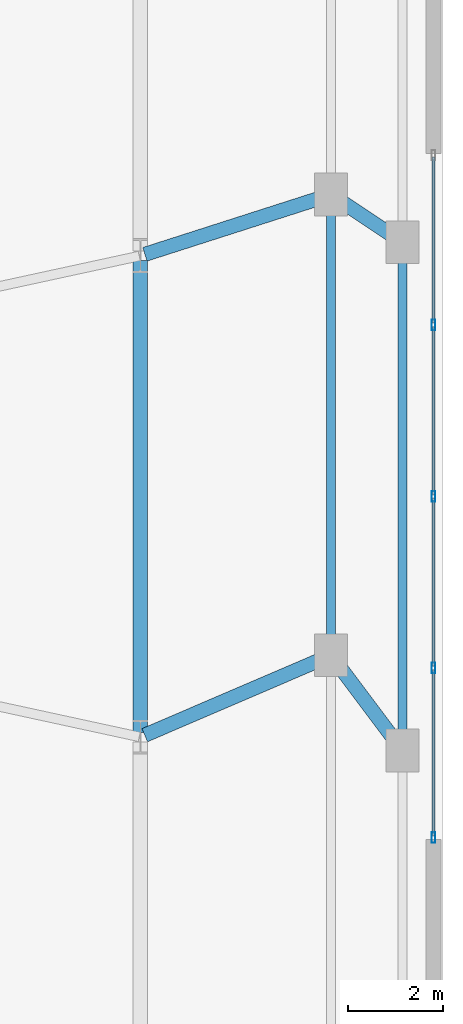
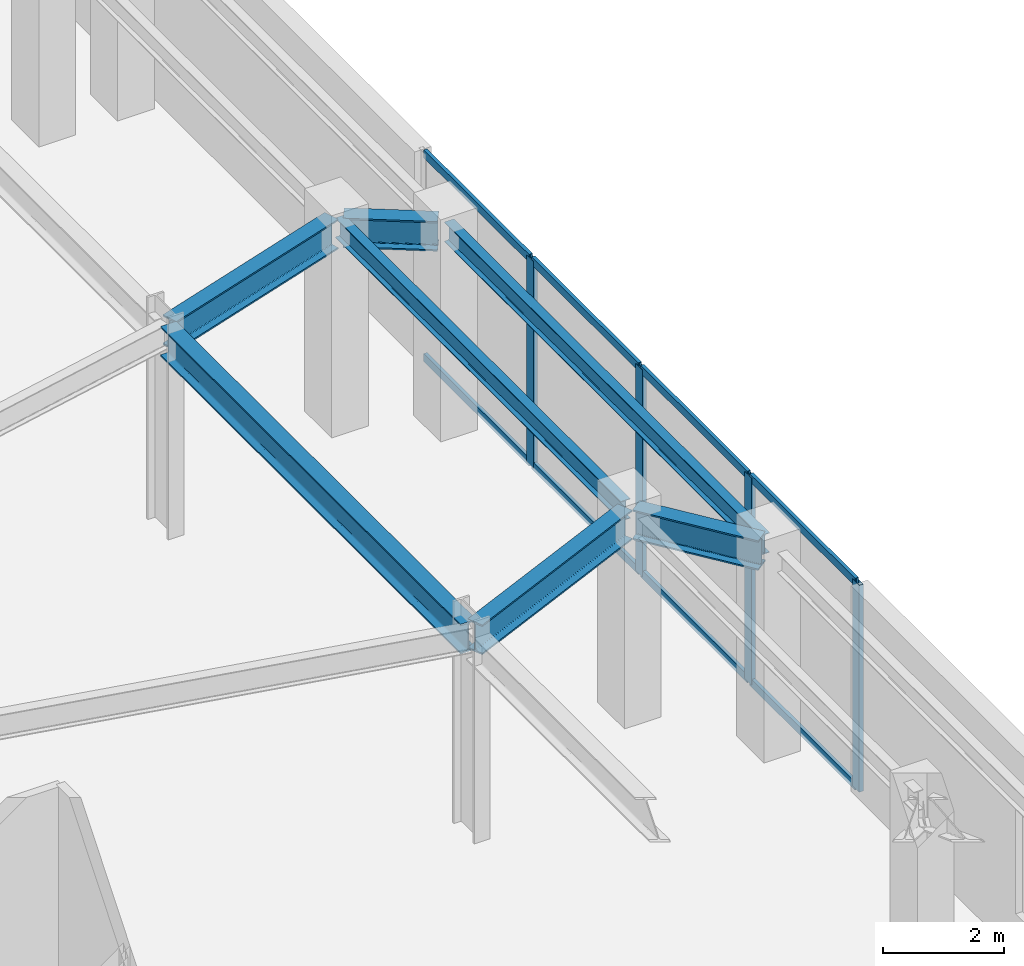
# One storey, part 11 of 23: 12 members, 7 beams, 1 element without a shape of its own.
"""IFC4 building model written with IfcOpenShell, lengths in metres."""

from ifc_helpers import new_model, si_unit, direction, frame, origin, origin_2d, place, context, subcontext, project, spatial, hollow_rectangle, i_section, extrude, material, layer, layer_set, material_profile, profile_set, type_object, element, aggregate, save


model = new_model("IFC4")

# Units and contexts
model_context = context("Model", 3, precision=1e-05, world=origin(), true_north=direction((0.0, 1.0)))
body_context = subcontext(model_context, "Body", "Model", "MODEL_VIEW")
ifc_project = project(units=[si_unit("LENGTHUNIT", "METRE"), si_unit("AREAUNIT", "SQUARE_METRE"), si_unit("VOLUMEUNIT", "CUBIC_METRE"), si_unit("PLANEANGLEUNIT", "RADIAN"), si_unit("MASSUNIT", "GRAM", prefix="KILO")], contexts=[model_context])

# Site, building, storey
site_placement = place(None, origin())
site = spatial("IfcSite", under=ifc_project, at=site_placement, CompositionType="ELEMENT")
building_placement = place(site_placement, origin())
building = spatial("IfcBuilding", under=site, at=building_placement, Name="Qobustan Lattice House", CompositionType="ELEMENT")
storey_placement = place(building_placement, frame((0.0, 0.0, 9.0)))
storey = spatial("IfcBuildingStorey", under=building, at=storey_placement, Name="L02", CompositionType="ELEMENT", Elevation=9.0)

# Beams
ifc_material_1 = material(Name="Steel S355", Category="steel")
ifc_material_profile_1 = material_profile(ifc_material_1, i_section(OverallWidth=0.300048828125, OverallDepth=0.60009765625, WebThickness=0.015380859375, FlangeThickness=0.030029296875, FilletRadius=0.027099609375, at=origin_2d()), Name="HEB600")
ifc_profile_set_1 = profile_set([ifc_material_profile_1], Name="Steel S355")
beam_type_1 = type_object("IfcBeamType", Name="BM-POD-HEB600", PredefinedType="USERDEFINED", material=ifc_profile_set_1)
beam_1_placement = place(storey_placement, frame((37.577880859375, -5.2373046875, 3.8701171875), z_axis=(-0.599965431752, 0.800025925019, 0.0), x_axis=(-0.800025925019, -0.599965431752, 0.0)))
element("IfcBeam", 1, at=beam_1_placement, inside=storey, type_object=beam_type_1, Name="L02 setback tie girder PEL2", ObjectType="GIRDER", PredefinedType="USERDEFINED", context=body_context, shape_type="SweptSolid", body=[
    extrude(i_section(OverallWidth=0.300048828125, OverallDepth=0.60009765625, WebThickness=0.015380859375, FlangeThickness=0.030029296875, FilletRadius=0.027099609375, at=origin_2d()), origin(), (0.0, 0.0, 1.0), 2.260009765625),
])
beam_2_placement = place(storey_placement, frame((37.55029296875, 5.39990234375, 3.8701171875), z_axis=(-0.832074324237, 0.554664149684, 0.0), x_axis=(-0.554664149684, -0.832074324237, 0.0)))
element("IfcBeam", 2, at=beam_2_placement, inside=storey, type_object=beam_type_1, Name="L02 setback tie girder PEL3", ObjectType="GIRDER", PredefinedType="USERDEFINED", context=body_context, shape_type="SweptSolid", body=[
    extrude(i_section(OverallWidth=0.300048828125, OverallDepth=0.60009765625, WebThickness=0.015380859375, FlangeThickness=0.030029296875, FilletRadius=0.027099609375, at=origin_2d()), origin(), (0.0, 0.0, 1.0), 1.56298828125),
])
beam_3_placement = place(storey_placement, frame((32.14990234375, -4.949951171875, 3.8701171875), z_axis=(0.0, 1.0, 0.0), x_axis=(-1.0, 0.0, 0.0)))
element("IfcBeam", 3, at=beam_3_placement, inside=storey, type_object=beam_type_1, Name="L02 tower base ring girder E2-E3", ObjectType="GIRDER", PredefinedType="USERDEFINED", context=body_context, shape_type="SweptSolid", body=[
    extrude(i_section(OverallWidth=0.300048828125, OverallDepth=0.60009765625, WebThickness=0.015380859375, FlangeThickness=0.030029296875, FilletRadius=0.027099609375, at=origin_2d()), origin(), (0.0, 0.0, 1.0), 9.89990234375),
])
beam_4_placement = place(storey_placement, frame((36.039794921875, -3.380615234375, 3.8701171875), z_axis=(-0.918949362679, -0.394375542893, 0.0), x_axis=(0.394375542893, -0.918949362679, 0.0)))
element("IfcBeam", 4, at=beam_4_placement, inside=storey, type_object=beam_type_1, Name="L02 podium radial girder PE2", ObjectType="GIRDER", PredefinedType="USERDEFINED", context=body_context, shape_type="SweptSolid", body=[
    extrude(i_section(OverallWidth=0.300048828125, OverallDepth=0.60009765625, WebThickness=0.015380859375, FlangeThickness=0.030029296875, FilletRadius=0.027099609375, at=origin_2d()), origin(), (0.0, 0.0, 1.0), 4.1328125),
])
beam_5_placement = place(storey_placement, frame((36.03564453125, 6.296630859375, 3.8701171875), z_axis=(-0.952198151545, -0.305481063561, 0.0), x_axis=(0.305481063561, -0.952198151545, 0.0)))
element("IfcBeam", 5, at=beam_5_placement, inside=storey, type_object=beam_type_1, Name="L02 podium radial girder PE3", ObjectType="GIRDER", PredefinedType="USERDEFINED", context=body_context, shape_type="SweptSolid", body=[
    extrude(i_section(OverallWidth=0.300048828125, OverallDepth=0.60009765625, WebThickness=0.015380859375, FlangeThickness=0.030029296875, FilletRadius=0.027099609375, at=origin_2d()), origin(), (0.0, 0.0, 1.0), 3.980712890625),
])
ifc_material_2 = material(Name="Steel S355", Category="steel")
ifc_material_profile_2 = material_profile(ifc_material_2, i_section(OverallWidth=0.179931640625, OverallDepth=0.39990234375, WebThickness=0.008544921875, FlangeThickness=0.013427734375, FilletRadius=0.02099609375, at=origin_2d()), Name="IPE400")
ifc_profile_set_2 = profile_set([ifc_material_profile_2], Name="Steel S355")
beam_type_2 = type_object("IfcBeamType", Name="BM-SPD-IPE400", PredefinedType="SPANDREL", material=ifc_profile_set_2)
beam_6_placement = place(storey_placement, frame((36.14990234375, -3.21337890625, 3.969970703125), z_axis=(0.0, 1.0, 0.0), x_axis=(-1.0, 0.0, 0.0)))
element("IfcBeam", 6, at=beam_6_placement, inside=storey, type_object=beam_type_2, Name="L02 podium spandrel PE2-PE3", PredefinedType="SPANDREL", context=body_context, shape_type="SweptSolid", body=[
    extrude(i_section(OverallWidth=0.179931640625, OverallDepth=0.39990234375, WebThickness=0.008544921875, FlangeThickness=0.013427734375, FilletRadius=0.02099609375, at=origin_2d()), origin(), (0.0, 0.0, 1.0), 9.4267578125),
])
beam_7_placement = place(storey_placement, frame((37.64990234375, -5.21337890625, 3.969970703125), z_axis=(0.0, 1.0, 0.0), x_axis=(-1.0, 0.0, 0.0)))
element("IfcBeam", 7, at=beam_7_placement, inside=storey, type_object=beam_type_2, Name="L02 lower podium spandrel PEL2-PEL3", PredefinedType="SPANDREL", context=body_context, shape_type="SweptSolid", body=[
    extrude(i_section(OverallWidth=0.179931640625, OverallDepth=0.39990234375, WebThickness=0.008544921875, FlangeThickness=0.013427734375, FilletRadius=0.02099609375, at=origin_2d()), origin(), (0.0, 0.0, 1.0), 10.4267578125),
])

# Curtain wall, members
ifc_material_3 = material(Name="Anodised aluminium and low-E glazing", Category="aluminium")
ifc_layer = layer(ifc_material_3, 0.219970703125)
ifc_layer_set = layer_set([ifc_layer], Name="Anodised aluminium and low-E glazing")
curtain_wall_type = type_object("IfcCurtainWallType", Name="CW-POD-01", PredefinedType="USERDEFINED", material=ifc_layer_set)
curtain_wall_placement = place(storey_placement, origin())
curtain_wall = element("IfcCurtainWall", 8, at=curtain_wall_placement, inside=storey, type_object=curtain_wall_type, Name="L02 E podium colonnade curtain wall", ObjectType="CURTAIN WALL", PredefinedType="USERDEFINED")
ifc_material_4 = material(Name="Anodised aluminium EN AW-6063 T6", Category="aluminium")
ifc_material_profile_3 = material_profile(ifc_material_4, hollow_rectangle(XDim=0.080078125, YDim=0.219970703125, WallThickness=0.0048828125, at=origin_2d()), Name="CWM-220x80")
ifc_profile_set_3 = profile_set([ifc_material_profile_3], Name="Anodised aluminium EN AW-6063 T6")
member_type_1 = type_object("IfcMemberType", Name="CWM-MAIN-220", PredefinedType="MULLION", material=ifc_profile_set_3)
member_1_placement = place(storey_placement, frame((38.300048828125, 3.60009765625, 0.0), z_axis=(0.0, 0.0, 1.0), x_axis=(1.0, 0.0, 0.0)))
member_1 = element("IfcMember", 9, at=member_1_placement, type_object=member_type_1, Name="CW-P1 mullion 2", PredefinedType="MULLION", context=body_context, shape_type="SweptSolid", body=[
    extrude(hollow_rectangle(XDim=0.080078125, YDim=0.219970703125, WallThickness=0.0048828125, at=origin_2d()), origin(), (0.0, 0.0, 1.0), 4.169921875),
])
member_2_placement = place(storey_placement, frame((38.300048828125, 0.0, 0.0), z_axis=(0.0, 0.0, 1.0), x_axis=(1.0, 0.0, 0.0)))
member_2 = element("IfcMember", 10, at=member_2_placement, type_object=member_type_1, Name="CW-P1 mullion 3", PredefinedType="MULLION", context=body_context, shape_type="SweptSolid", body=[
    extrude(hollow_rectangle(XDim=0.080078125, YDim=0.219970703125, WallThickness=0.0048828125, at=origin_2d()), origin(), (0.0, 0.0, 1.0), 4.169921875),
])
member_3_placement = place(storey_placement, frame((38.300048828125, -3.60009765625, 0.0), z_axis=(0.0, 0.0, 1.0), x_axis=(1.0, 0.0, 0.0)))
member_3 = element("IfcMember", 11, at=member_3_placement, type_object=member_type_1, Name="CW-P1 mullion 4", PredefinedType="MULLION", context=body_context, shape_type="SweptSolid", body=[
    extrude(hollow_rectangle(XDim=0.080078125, YDim=0.219970703125, WallThickness=0.0048828125, at=origin_2d()), origin(), (0.0, 0.0, 1.0), 4.169921875),
])
member_4_placement = place(storey_placement, frame((38.300048828125, -7.159912109375, 0.0), z_axis=(0.0, 0.0, 1.0), x_axis=(1.0, 0.0, 0.0)))
member_4 = element("IfcMember", 12, at=member_4_placement, type_object=member_type_1, Name="CW-P1 mullion 5", PredefinedType="MULLION", context=body_context, shape_type="SweptSolid", body=[
    extrude(hollow_rectangle(XDim=0.080078125, YDim=0.219970703125, WallThickness=0.0048828125, at=origin_2d()), origin(), (0.0, 0.0, 1.0), 4.169921875),
])
ifc_material_5 = material(Name="Anodised aluminium EN AW-6063 T6", Category="aluminium")
ifc_material_profile_4 = material_profile(ifc_material_5, hollow_rectangle(XDim=0.06494140625, YDim=0.159912109375, WallThickness=0.00390625, at=origin_2d()), Name="CWT-160x65")
ifc_profile_set_4 = profile_set([ifc_material_profile_4], Name="Anodised aluminium EN AW-6063 T6")
member_type_2 = type_object("IfcMemberType", Name="CWT-HOR-160", PredefinedType="USERDEFINED", material=ifc_profile_set_4)
member_5_placement = place(storey_placement, frame((38.300048828125, 7.1201171875, 0.032470703125), z_axis=(0.0, -1.0, 0.0), x_axis=(1.0, 0.0, 0.0)))
member_5 = element("IfcMember", 13, at=member_5_placement, type_object=member_type_2, Name="CW-P1 transom 1.1", ObjectType="TRANSOM", PredefinedType="USERDEFINED", context=body_context, shape_type="SweptSolid", body=[
    extrude(hollow_rectangle(XDim=0.06494140625, YDim=0.159912109375, WallThickness=0.00390625, at=origin_2d()), origin(), (0.0, 0.0, 1.0), 3.480224609375),
])
member_6_placement = place(storey_placement, frame((38.300048828125, 7.1201171875, 4.137451171875), z_axis=(0.0, -1.0, 0.0), x_axis=(1.0, 0.0, 0.0)))
member_6 = element("IfcMember", 14, at=member_6_placement, type_object=member_type_2, Name="CW-P1 transom 1.2", ObjectType="TRANSOM", PredefinedType="USERDEFINED", context=body_context, shape_type="SweptSolid", body=[
    extrude(hollow_rectangle(XDim=0.06494140625, YDim=0.159912109375, WallThickness=0.00390625, at=origin_2d()), origin(), (0.0, 0.0, 1.0), 3.480224609375),
])
member_7_placement = place(storey_placement, frame((38.300048828125, 3.56005859375, 0.032470703125), z_axis=(0.0, -1.0, 0.0), x_axis=(1.0, 0.0, 0.0)))
member_7 = element("IfcMember", 15, at=member_7_placement, type_object=member_type_2, Name="CW-P1 transom 2.1", ObjectType="TRANSOM", PredefinedType="USERDEFINED", context=body_context, shape_type="SweptSolid", body=[
    extrude(hollow_rectangle(XDim=0.06494140625, YDim=0.159912109375, WallThickness=0.00390625, at=origin_2d()), origin(), (0.0, 0.0, 1.0), 3.52001953125),
])
member_8_placement = place(storey_placement, frame((38.300048828125, 3.56005859375, 4.137451171875), z_axis=(0.0, -1.0, 0.0), x_axis=(1.0, 0.0, 0.0)))
member_8 = element("IfcMember", 16, at=member_8_placement, type_object=member_type_2, Name="CW-P1 transom 2.2", ObjectType="TRANSOM", PredefinedType="USERDEFINED", context=body_context, shape_type="SweptSolid", body=[
    extrude(hollow_rectangle(XDim=0.06494140625, YDim=0.159912109375, WallThickness=0.00390625, at=origin_2d()), origin(), (0.0, 0.0, 1.0), 3.52001953125),
])
member_9_placement = place(storey_placement, frame((38.300048828125, -0.0400390625, 0.032470703125), z_axis=(0.0, -1.0, 0.0), x_axis=(1.0, 0.0, 0.0)))
member_9 = element("IfcMember", 17, at=member_9_placement, type_object=member_type_2, Name="CW-P1 transom 3.1", ObjectType="TRANSOM", PredefinedType="USERDEFINED", context=body_context, shape_type="SweptSolid", body=[
    extrude(hollow_rectangle(XDim=0.06494140625, YDim=0.159912109375, WallThickness=0.00390625, at=origin_2d()), origin(), (0.0, 0.0, 1.0), 3.52001953125),
])
member_10_placement = place(storey_placement, frame((38.300048828125, -0.0400390625, 4.137451171875), z_axis=(0.0, -1.0, 0.0), x_axis=(1.0, 0.0, 0.0)))
member_10 = element("IfcMember", 18, at=member_10_placement, type_object=member_type_2, Name="CW-P1 transom 3.2", ObjectType="TRANSOM", PredefinedType="USERDEFINED", context=body_context, shape_type="SweptSolid", body=[
    extrude(hollow_rectangle(XDim=0.06494140625, YDim=0.159912109375, WallThickness=0.00390625, at=origin_2d()), origin(), (0.0, 0.0, 1.0), 3.52001953125),
])
member_11_placement = place(storey_placement, frame((38.300048828125, -3.639892578125, 0.032470703125), z_axis=(0.0, -1.0, 0.0), x_axis=(1.0, 0.0, 0.0)))
member_11 = element("IfcMember", 19, at=member_11_placement, type_object=member_type_2, Name="CW-P1 transom 4.1", ObjectType="TRANSOM", PredefinedType="USERDEFINED", context=body_context, shape_type="SweptSolid", body=[
    extrude(hollow_rectangle(XDim=0.06494140625, YDim=0.159912109375, WallThickness=0.00390625, at=origin_2d()), origin(), (0.0, 0.0, 1.0), 3.480224609375),
])
member_12_placement = place(storey_placement, frame((38.300048828125, -3.639892578125, 4.137451171875), z_axis=(0.0, -1.0, 0.0), x_axis=(1.0, 0.0, 0.0)))
member_12 = element("IfcMember", 20, at=member_12_placement, type_object=member_type_2, Name="CW-P1 transom 4.2", ObjectType="TRANSOM", PredefinedType="USERDEFINED", context=body_context, shape_type="SweptSolid", body=[
    extrude(hollow_rectangle(XDim=0.06494140625, YDim=0.159912109375, WallThickness=0.00390625, at=origin_2d()), origin(), (0.0, 0.0, 1.0), 3.480224609375),
])
aggregate(curtain_wall, [member_1, member_2, member_3, member_4, member_5, member_6, member_7, member_8, member_9, member_10, member_11, member_12])

save(model, "model.ifc")
